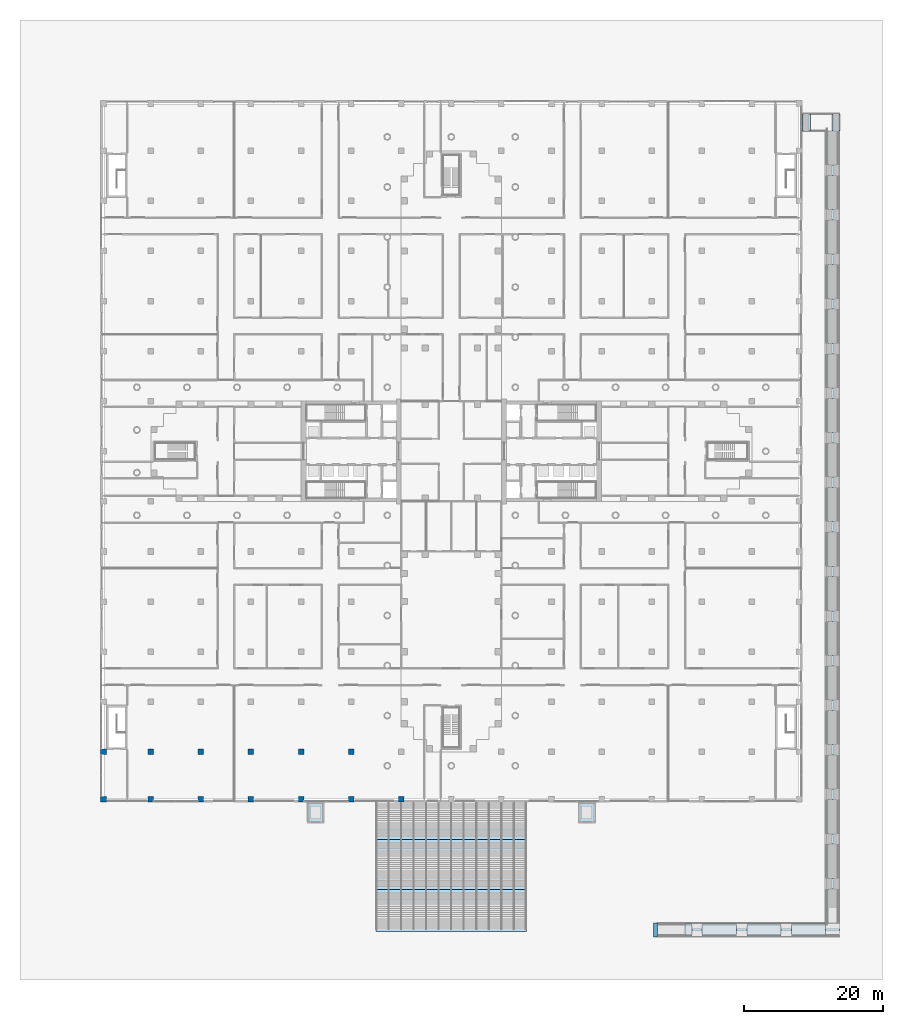
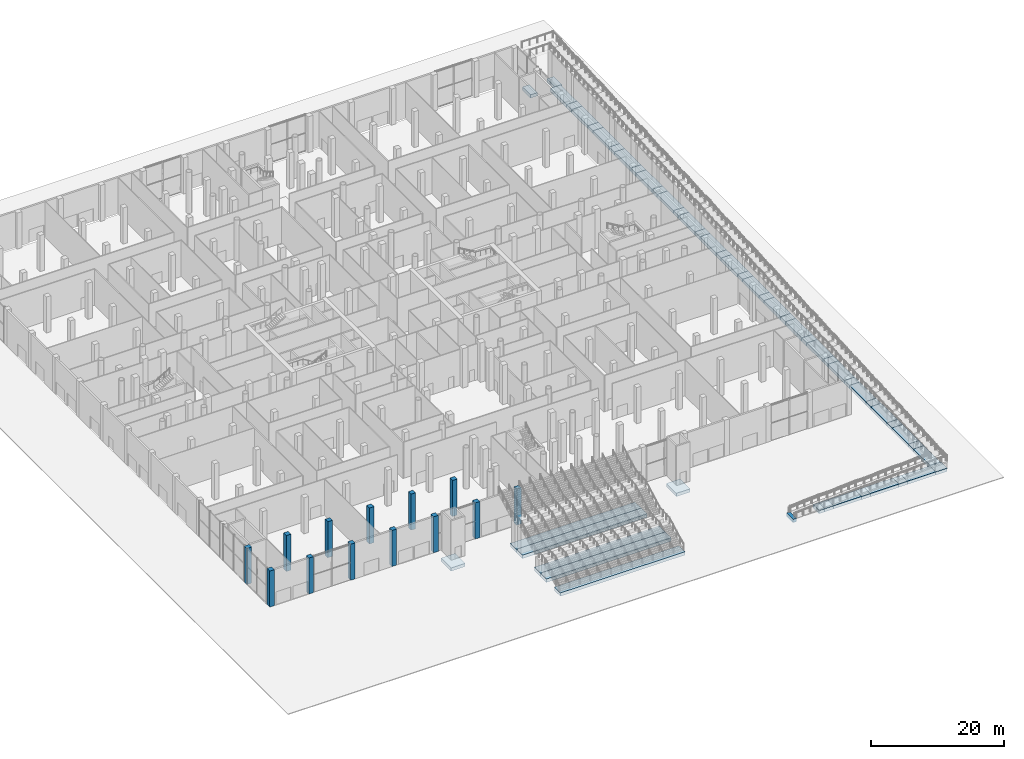
# One storey, part 1 of 44: 53 footings, 13 columns.
"""IFC4 building model written with IfcOpenShell, lengths in metres."""

from ifc_helpers import new_model, si_unit, direction, frame, origin, origin_2d, place, context, subcontext, project, spatial, polyline, rectangle, outline, extrude, material, layer, layer_set, material_profile, profile_set, type_object, element, save


model = new_model("IFC4")

# Units and contexts
model_context = context("Model", 3, precision=1e-05, world=origin(), true_north=direction((0.0, 1.0)))
body_context = subcontext(model_context, "Body", "Model", "MODEL_VIEW")
ifc_project = project(units=[si_unit("LENGTHUNIT", "METRE"), si_unit("AREAUNIT", "SQUARE_METRE"), si_unit("VOLUMEUNIT", "CUBIC_METRE"), si_unit("PLANEANGLEUNIT", "RADIAN"), si_unit("MASSUNIT", "GRAM", prefix="KILO")], contexts=[model_context])

# Site, building, storey
site_placement = place(None, origin())
site = spatial("IfcSite", under=ifc_project, at=site_placement, CompositionType="ELEMENT")
building_placement = place(site_placement, origin())
building = spatial("IfcBuilding", under=site, at=building_placement, Name="Fustian Cross Tower", CompositionType="ELEMENT")
storey_placement = place(building_placement, origin())
storey = spatial("IfcBuildingStorey", under=building, at=storey_placement, Name="L00", CompositionType="ELEMENT", Elevation=0.0)

# Footings
ifc_material_1 = material(Name="Concrete C40/50", Category="concrete")
ifc_layer_1 = layer(ifc_material_1, 0.60009765625)
ifc_layer_set_1 = layer_set([ifc_layer_1], Name="Concrete C40/50")
footing_type_1 = type_object("IfcFootingType", Name="PAD FOOTING LIFT PIT", PredefinedType="PAD_FOOTING", material=ifc_layer_set_1)
footing_1_placement = place(storey_placement, frame((0.0, 0.0, -2.0)))
element("IfcFooting", 1, at=footing_1_placement, inside=storey, type_object=footing_type_1, Name="Lift pit footing PL1", PredefinedType="PAD_FOOTING", context=body_context, shape_type="SweptSolid", body=[
    extrude(outline(polyline([(-20.699951171875, -53.39990234375), (-18.300048828125, -53.39990234375), (-18.300048828125, -50.39990234375), (-20.699951171875, -50.39990234375), (-20.699951171875, -53.39990234375)])), origin(), (0.0, 0.0, 1.0), 0.60009765625),
])
footing_2_placement = place(storey_placement, frame((0.0, 0.0, -2.0)))
element("IfcFooting", 2, at=footing_2_placement, inside=storey, type_object=footing_type_1, Name="Lift pit footing PL2", PredefinedType="PAD_FOOTING", context=body_context, shape_type="SweptSolid", body=[
    extrude(outline(polyline([(18.300048828125, -53.39990234375), (20.699951171875, -53.39990234375), (20.699951171875, -50.39990234375), (18.300048828125, -50.39990234375), (18.300048828125, -53.39990234375)])), origin(), (0.0, 0.0, 1.0), 0.60009765625),
])
ifc_material_2 = material(Name="Concrete C40/50", Category="concrete")
ifc_layer_2 = layer(ifc_material_2, 0.60009765625)
ifc_layer_set_2 = layer_set([ifc_layer_2], Name="Concrete C40/50")
footing_type_2 = type_object("IfcFootingType", Name="STRIP FOOTING 1800", PredefinedType="STRIP_FOOTING", material=ifc_layer_set_2)
footing_3_placement = place(storey_placement, frame((0.0, 0.0, -0.60009765625)))
element("IfcFooting", 3, at=footing_3_placement, inside=storey, type_object=footing_type_2, Name="Stair strip footing 1A", PredefinedType="STRIP_FOOTING", context=body_context, shape_type="SweptSolid", body=[
    extrude(outline(polyline([(-10.800048828125, -64.800048828125), (10.800048828125, -64.800048828125), (10.800048828125, -63.0), (-10.800048828125, -63.0), (-10.800048828125, -64.800048828125)])), origin(), (0.0, 0.0, 1.0), 0.60009765625),
])
footing_4_placement = place(storey_placement, frame((0.0, 0.0, -0.60009765625)))
element("IfcFooting", 4, at=footing_4_placement, inside=storey, type_object=footing_type_2, Name="Stair strip footing 1B", PredefinedType="STRIP_FOOTING", context=body_context, shape_type="SweptSolid", body=[
    extrude(outline(polyline([(-10.800048828125, -63.0), (10.800048828125, -63.0), (10.800048828125, -61.199951171875), (-10.800048828125, -61.199951171875), (-10.800048828125, -63.0)])), origin(), (0.0, 0.0, 1.0), 0.60009765625),
])
footing_5_placement = place(storey_placement, frame((0.0, 0.0, -0.60009765625)))
element("IfcFooting", 5, at=footing_5_placement, inside=storey, type_object=footing_type_2, Name="Stair strip footing 2A", PredefinedType="STRIP_FOOTING", context=body_context, shape_type="SweptSolid", body=[
    extrude(outline(polyline([(-10.800048828125, -57.60009765625), (10.800048828125, -57.60009765625), (10.800048828125, -55.800048828125), (-10.800048828125, -55.800048828125), (-10.800048828125, -57.60009765625)])), origin(), (0.0, 0.0, 1.0), 0.60009765625),
])
footing_6_placement = place(storey_placement, frame((0.0, 0.0, -0.60009765625)))
element("IfcFooting", 6, at=footing_6_placement, inside=storey, type_object=footing_type_2, Name="Stair strip footing 2B", PredefinedType="STRIP_FOOTING", context=body_context, shape_type="SweptSolid", body=[
    extrude(outline(polyline([(-10.800048828125, -55.800048828125), (10.800048828125, -55.800048828125), (10.800048828125, -54.0), (-10.800048828125, -54.0), (-10.800048828125, -55.800048828125)])), origin(), (0.0, 0.0, 1.0), 0.60009765625),
])
footing_7_placement = place(storey_placement, frame((0.0, 0.0, -0.60009765625)))
element("IfcFooting", 7, at=footing_7_placement, inside=storey, type_object=footing_type_2, Name="Stair foot strip footing", PredefinedType="STRIP_FOOTING", context=body_context, shape_type="SweptSolid", body=[
    extrude(outline(polyline([(-10.800048828125, -69.0), (10.800048828125, -69.0), (10.800048828125, -67.199951171875), (-10.800048828125, -67.199951171875), (-10.800048828125, -69.0)])), origin(), (0.0, 0.0, 1.0), 0.60009765625),
])
footing_8_placement = place(storey_placement, frame((0.0, 0.0, -0.60009765625)))
element("IfcFooting", 8, at=footing_8_placement, inside=storey, type_object=footing_type_2, Name="Ramp strip footing 1", PredefinedType="STRIP_FOOTING", context=body_context, shape_type="SweptSolid", body=[
    extrude(outline(polyline([(33.6220703125, -69.699951171875), (34.57275390625, -69.699951171875), (34.57275390625, -67.89990234375), (33.6220703125, -67.89990234375), (33.6220703125, -69.699951171875)])), origin(), (0.0, 0.0, 1.0), 0.60009765625),
])
footing_9_placement = place(storey_placement, frame((0.0, 0.0, -0.60009765625)))
element("IfcFooting", 9, at=footing_9_placement, inside=storey, type_object=footing_type_2, Name="Ramp strip footing 2", PredefinedType="STRIP_FOOTING", context=body_context, shape_type="SweptSolid", body=[
    extrude(outline(polyline([(36.07275390625, -69.699951171875), (40.98193359375, -69.699951171875), (40.98193359375, -67.89990234375), (36.07275390625, -67.89990234375), (36.07275390625, -69.699951171875)])), origin(), (0.0, 0.0, 1.0), 0.60009765625),
])
footing_10_placement = place(storey_placement, frame((0.0, 0.0, -0.60009765625)))
element("IfcFooting", 10, at=footing_10_placement, inside=storey, type_object=footing_type_2, Name="Ramp strip footing 3", PredefinedType="STRIP_FOOTING", context=body_context, shape_type="SweptSolid", body=[
    extrude(outline(polyline([(42.48193359375, -69.699951171875), (47.390869140625, -69.699951171875), (47.390869140625, -67.89990234375), (42.48193359375, -67.89990234375), (42.48193359375, -69.699951171875)])), origin(), (0.0, 0.0, 1.0), 0.60009765625),
])
footing_11_placement = place(storey_placement, frame((0.0, 0.0, -0.60009765625)))
element("IfcFooting", 11, at=footing_11_placement, inside=storey, type_object=footing_type_2, Name="Ramp strip footing 4", PredefinedType="STRIP_FOOTING", context=body_context, shape_type="SweptSolid", body=[
    extrude(outline(polyline([(48.890869140625, -69.699951171875), (53.800048828125, -69.699951171875), (53.800048828125, -67.89990234375), (48.890869140625, -67.89990234375), (48.890869140625, -69.699951171875)])), origin(), (0.0, 0.0, 1.0), 0.60009765625),
])
footing_12_placement = place(storey_placement, frame((0.0, 0.0, -0.60009765625)))
element("IfcFooting", 12, at=footing_12_placement, inside=storey, type_object=footing_type_2, Name="Ramp strip footing 5", PredefinedType="STRIP_FOOTING", context=body_context, shape_type="SweptSolid", body=[
    extrude(outline(polyline([(53.89990234375, -67.800048828125), (55.699951171875, -67.800048828125), (55.699951171875, -62.890869140625), (53.89990234375, -62.890869140625), (53.89990234375, -67.800048828125)])), origin(), (0.0, 0.0, 1.0), 0.60009765625),
])
footing_13_placement = place(storey_placement, frame((0.0, 0.0, -0.60009765625)))
element("IfcFooting", 13, at=footing_13_placement, inside=storey, type_object=footing_type_2, Name="Ramp strip footing 6", PredefinedType="STRIP_FOOTING", context=body_context, shape_type="SweptSolid", body=[
    extrude(outline(polyline([(53.89990234375, -61.390869140625), (55.699951171875, -61.390869140625), (55.699951171875, -56.48193359375), (53.89990234375, -56.48193359375), (53.89990234375, -61.390869140625)])), origin(), (0.0, 0.0, 1.0), 0.60009765625),
])
footing_14_placement = place(storey_placement, frame((0.0, 0.0, -0.60009765625)))
element("IfcFooting", 14, at=footing_14_placement, inside=storey, type_object=footing_type_2, Name="Ramp strip footing 7", PredefinedType="STRIP_FOOTING", context=body_context, shape_type="SweptSolid", body=[
    extrude(outline(polyline([(53.89990234375, -54.98193359375), (55.699951171875, -54.98193359375), (55.699951171875, -50.07275390625), (53.89990234375, -50.07275390625), (53.89990234375, -54.98193359375)])), origin(), (0.0, 0.0, 1.0), 0.60009765625),
])
footing_15_placement = place(storey_placement, frame((0.0, 0.0, -0.60009765625)))
element("IfcFooting", 15, at=footing_15_placement, inside=storey, type_object=footing_type_2, Name="Ramp strip footing 8", PredefinedType="STRIP_FOOTING", context=body_context, shape_type="SweptSolid", body=[
    extrude(outline(polyline([(53.89990234375, -48.57275390625), (55.699951171875, -48.57275390625), (55.699951171875, -43.66357421875), (53.89990234375, -43.66357421875), (53.89990234375, -48.57275390625)])), origin(), (0.0, 0.0, 1.0), 0.60009765625),
])
footing_16_placement = place(storey_placement, frame((0.0, 0.0, -0.60009765625)))
element("IfcFooting", 16, at=footing_16_placement, inside=storey, type_object=footing_type_2, Name="Ramp strip footing 9", PredefinedType="STRIP_FOOTING", context=body_context, shape_type="SweptSolid", body=[
    extrude(outline(polyline([(53.89990234375, -42.16357421875), (55.699951171875, -42.16357421875), (55.699951171875, -37.254638671875), (53.89990234375, -37.254638671875), (53.89990234375, -42.16357421875)])), origin(), (0.0, 0.0, 1.0), 0.60009765625),
])
footing_17_placement = place(storey_placement, frame((0.0, 0.0, -0.60009765625)))
element("IfcFooting", 17, at=footing_17_placement, inside=storey, type_object=footing_type_2, Name="Ramp strip footing 10", PredefinedType="STRIP_FOOTING", context=body_context, shape_type="SweptSolid", body=[
    extrude(outline(polyline([(53.89990234375, -35.754638671875), (55.699951171875, -35.754638671875), (55.699951171875, -30.845458984375), (53.89990234375, -30.845458984375), (53.89990234375, -35.754638671875)])), origin(), (0.0, 0.0, 1.0), 0.60009765625),
])
footing_18_placement = place(storey_placement, frame((0.0, 0.0, -0.60009765625)))
element("IfcFooting", 18, at=footing_18_placement, inside=storey, type_object=footing_type_2, Name="Ramp strip footing 11", PredefinedType="STRIP_FOOTING", context=body_context, shape_type="SweptSolid", body=[
    extrude(outline(polyline([(53.89990234375, -29.345458984375), (55.699951171875, -29.345458984375), (55.699951171875, -24.436279296875), (53.89990234375, -24.436279296875), (53.89990234375, -29.345458984375)])), origin(), (0.0, 0.0, 1.0), 0.60009765625),
])
footing_19_placement = place(storey_placement, frame((0.0, 0.0, -0.60009765625)))
element("IfcFooting", 19, at=footing_19_placement, inside=storey, type_object=footing_type_2, Name="Ramp strip footing 12", PredefinedType="STRIP_FOOTING", context=body_context, shape_type="SweptSolid", body=[
    extrude(outline(polyline([(53.89990234375, -22.936279296875), (55.699951171875, -22.936279296875), (55.699951171875, -18.02734375), (53.89990234375, -18.02734375), (53.89990234375, -22.936279296875)])), origin(), (0.0, 0.0, 1.0), 0.60009765625),
])
footing_20_placement = place(storey_placement, frame((0.0, 0.0, -0.60009765625)))
element("IfcFooting", 20, at=footing_20_placement, inside=storey, type_object=footing_type_2, Name="Ramp strip footing 13", PredefinedType="STRIP_FOOTING", context=body_context, shape_type="SweptSolid", body=[
    extrude(outline(polyline([(53.89990234375, -16.52734375), (55.699951171875, -16.52734375), (55.699951171875, -11.6181640625), (53.89990234375, -11.6181640625), (53.89990234375, -16.52734375)])), origin(), (0.0, 0.0, 1.0), 0.60009765625),
])
footing_21_placement = place(storey_placement, frame((0.0, 0.0, -0.60009765625)))
element("IfcFooting", 21, at=footing_21_placement, inside=storey, type_object=footing_type_2, Name="Ramp strip footing 14", PredefinedType="STRIP_FOOTING", context=body_context, shape_type="SweptSolid", body=[
    extrude(outline(polyline([(53.89990234375, -10.1181640625), (55.699951171875, -10.1181640625), (55.699951171875, -5.208984375), (53.89990234375, -5.208984375), (53.89990234375, -10.1181640625)])), origin(), (0.0, 0.0, 1.0), 0.60009765625),
])
footing_22_placement = place(storey_placement, frame((0.0, 0.0, -0.60009765625)))
element("IfcFooting", 22, at=footing_22_placement, inside=storey, type_object=footing_type_2, Name="Ramp strip footing 15", PredefinedType="STRIP_FOOTING", context=body_context, shape_type="SweptSolid", body=[
    extrude(outline(polyline([(53.89990234375, -3.708984375), (55.699951171875, -3.708984375), (55.699951171875, 1.199951171875), (53.89990234375, 1.199951171875), (53.89990234375, -3.708984375)])), origin(), (0.0, 0.0, 1.0), 0.60009765625),
])
footing_23_placement = place(storey_placement, frame((0.0, 0.0, -0.60009765625)))
element("IfcFooting", 23, at=footing_23_placement, inside=storey, type_object=footing_type_2, Name="Ramp strip footing 16", PredefinedType="STRIP_FOOTING", context=body_context, shape_type="SweptSolid", body=[
    extrude(outline(polyline([(53.89990234375, 2.699951171875), (55.699951171875, 2.699951171875), (55.699951171875, 7.609130859375), (53.89990234375, 7.609130859375), (53.89990234375, 2.699951171875)])), origin(), (0.0, 0.0, 1.0), 0.60009765625),
])
footing_24_placement = place(storey_placement, frame((0.0, 0.0, -0.60009765625)))
element("IfcFooting", 24, at=footing_24_placement, inside=storey, type_object=footing_type_2, Name="Ramp strip footing 17", PredefinedType="STRIP_FOOTING", context=body_context, shape_type="SweptSolid", body=[
    extrude(outline(polyline([(53.89990234375, 9.109130859375), (55.699951171875, 9.109130859375), (55.699951171875, 14.01806640625), (53.89990234375, 14.01806640625), (53.89990234375, 9.109130859375)])), origin(), (0.0, 0.0, 1.0), 0.60009765625),
])
footing_25_placement = place(storey_placement, frame((0.0, 0.0, -0.60009765625)))
element("IfcFooting", 25, at=footing_25_placement, inside=storey, type_object=footing_type_2, Name="Ramp strip footing 18", PredefinedType="STRIP_FOOTING", context=body_context, shape_type="SweptSolid", body=[
    extrude(outline(polyline([(53.89990234375, 15.51806640625), (55.699951171875, 15.51806640625), (55.699951171875, 20.42724609375), (53.89990234375, 20.42724609375), (53.89990234375, 15.51806640625)])), origin(), (0.0, 0.0, 1.0), 0.60009765625),
])
footing_26_placement = place(storey_placement, frame((0.0, 0.0, -0.60009765625)))
element("IfcFooting", 26, at=footing_26_placement, inside=storey, type_object=footing_type_2, Name="Ramp strip footing 19", PredefinedType="STRIP_FOOTING", context=body_context, shape_type="SweptSolid", body=[
    extrude(outline(polyline([(53.89990234375, 21.92724609375), (55.699951171875, 21.92724609375), (55.699951171875, 26.83642578125), (53.89990234375, 26.83642578125), (53.89990234375, 21.92724609375)])), origin(), (0.0, 0.0, 1.0), 0.60009765625),
])
footing_27_placement = place(storey_placement, frame((0.0, 0.0, -0.60009765625)))
element("IfcFooting", 27, at=footing_27_placement, inside=storey, type_object=footing_type_2, Name="Ramp strip footing 20", PredefinedType="STRIP_FOOTING", context=body_context, shape_type="SweptSolid", body=[
    extrude(outline(polyline([(53.89990234375, 28.33642578125), (55.699951171875, 28.33642578125), (55.699951171875, 33.245361328125), (53.89990234375, 33.245361328125), (53.89990234375, 28.33642578125)])), origin(), (0.0, 0.0, 1.0), 0.60009765625),
])
footing_28_placement = place(storey_placement, frame((0.0, 0.0, -0.60009765625)))
element("IfcFooting", 28, at=footing_28_placement, inside=storey, type_object=footing_type_2, Name="Ramp strip footing 21", PredefinedType="STRIP_FOOTING", context=body_context, shape_type="SweptSolid", body=[
    extrude(outline(polyline([(53.89990234375, 34.745361328125), (55.699951171875, 34.745361328125), (55.699951171875, 39.654541015625), (53.89990234375, 39.654541015625), (53.89990234375, 34.745361328125)])), origin(), (0.0, 0.0, 1.0), 0.60009765625),
])
footing_29_placement = place(storey_placement, frame((0.0, 0.0, -0.60009765625)))
element("IfcFooting", 29, at=footing_29_placement, inside=storey, type_object=footing_type_2, Name="Ramp strip footing 22", PredefinedType="STRIP_FOOTING", context=body_context, shape_type="SweptSolid", body=[
    extrude(outline(polyline([(53.89990234375, 41.154541015625), (55.699951171875, 41.154541015625), (55.699951171875, 46.063720703125), (53.89990234375, 46.063720703125), (53.89990234375, 41.154541015625)])), origin(), (0.0, 0.0, 1.0), 0.60009765625),
])
footing_30_placement = place(storey_placement, frame((0.0, 0.0, -0.60009765625)))
element("IfcFooting", 30, at=footing_30_placement, inside=storey, type_object=footing_type_2, Name="Ramp foot footing", PredefinedType="STRIP_FOOTING", context=body_context, shape_type="SweptSolid", body=[
    extrude(outline(polyline([(29.063720703125, -69.800048828125), (29.66357421875, -69.800048828125), (29.66357421875, -67.800048828125), (29.063720703125, -67.800048828125), (29.063720703125, -69.800048828125)])), origin(), (0.0, 0.0, 1.0), 0.60009765625),
])
footing_31_placement = place(storey_placement, frame((0.0, 0.0, -0.60009765625)))
element("IfcFooting", 31, at=footing_31_placement, inside=storey, type_object=footing_type_2, Name="Ramp landing footing 1", PredefinedType="STRIP_FOOTING", context=body_context, shape_type="SweptSolid", body=[
    extrude(outline(polyline([(34.57275390625, -69.699951171875), (36.07275390625, -69.699951171875), (36.07275390625, -67.89990234375), (34.57275390625, -67.89990234375), (34.57275390625, -69.699951171875)])), origin(), (0.0, 0.0, 1.0), 0.60009765625),
])
footing_32_placement = place(storey_placement, frame((0.0, 0.0, -0.60009765625)))
element("IfcFooting", 32, at=footing_32_placement, inside=storey, type_object=footing_type_2, Name="Ramp landing footing 2", PredefinedType="STRIP_FOOTING", context=body_context, shape_type="SweptSolid", body=[
    extrude(outline(polyline([(40.98193359375, -69.699951171875), (42.48193359375, -69.699951171875), (42.48193359375, -67.89990234375), (40.98193359375, -67.89990234375), (40.98193359375, -69.699951171875)])), origin(), (0.0, 0.0, 1.0), 0.60009765625),
])
footing_33_placement = place(storey_placement, frame((0.0, 0.0, -0.60009765625)))
element("IfcFooting", 33, at=footing_33_placement, inside=storey, type_object=footing_type_2, Name="Ramp landing footing 3", PredefinedType="STRIP_FOOTING", context=body_context, shape_type="SweptSolid", body=[
    extrude(outline(polyline([(47.390869140625, -69.699951171875), (48.890869140625, -69.699951171875), (48.890869140625, -67.89990234375), (47.390869140625, -67.89990234375), (47.390869140625, -69.699951171875)])), origin(), (0.0, 0.0, 1.0), 0.60009765625),
])
footing_34_placement = place(storey_placement, frame((0.0, 0.0, -0.60009765625)))
element("IfcFooting", 34, at=footing_34_placement, inside=storey, type_object=footing_type_2, Name="Ramp landing footing 4", PredefinedType="STRIP_FOOTING", context=body_context, shape_type="SweptSolid", body=[
    extrude(outline(polyline([(53.800048828125, -69.699951171875), (55.800048828125, -69.699951171875), (55.800048828125, -67.89990234375), (53.800048828125, -67.89990234375), (53.800048828125, -69.699951171875)])), origin(), (0.0, 0.0, 1.0), 0.60009765625),
])
footing_35_placement = place(storey_placement, frame((0.0, 0.0, -0.60009765625)))
element("IfcFooting", 35, at=footing_35_placement, inside=storey, type_object=footing_type_2, Name="Ramp landing footing 5", PredefinedType="STRIP_FOOTING", context=body_context, shape_type="SweptSolid", body=[
    extrude(outline(polyline([(53.89990234375, -62.890869140625), (55.699951171875, -62.890869140625), (55.699951171875, -61.390869140625), (53.89990234375, -61.390869140625), (53.89990234375, -62.890869140625)])), origin(), (0.0, 0.0, 1.0), 0.60009765625),
])
footing_36_placement = place(storey_placement, frame((0.0, 0.0, -0.60009765625)))
element("IfcFooting", 36, at=footing_36_placement, inside=storey, type_object=footing_type_2, Name="Ramp landing footing 6", PredefinedType="STRIP_FOOTING", context=body_context, shape_type="SweptSolid", body=[
    extrude(outline(polyline([(53.89990234375, -56.48193359375), (55.699951171875, -56.48193359375), (55.699951171875, -54.98193359375), (53.89990234375, -54.98193359375), (53.89990234375, -56.48193359375)])), origin(), (0.0, 0.0, 1.0), 0.60009765625),
])
footing_37_placement = place(storey_placement, frame((0.0, 0.0, -0.60009765625)))
element("IfcFooting", 37, at=footing_37_placement, inside=storey, type_object=footing_type_2, Name="Ramp landing footing 7", PredefinedType="STRIP_FOOTING", context=body_context, shape_type="SweptSolid", body=[
    extrude(outline(polyline([(53.89990234375, -50.07275390625), (55.699951171875, -50.07275390625), (55.699951171875, -48.57275390625), (53.89990234375, -48.57275390625), (53.89990234375, -50.07275390625)])), origin(), (0.0, 0.0, 1.0), 0.60009765625),
])
footing_38_placement = place(storey_placement, frame((0.0, 0.0, -0.60009765625)))
element("IfcFooting", 38, at=footing_38_placement, inside=storey, type_object=footing_type_2, Name="Ramp landing footing 8", PredefinedType="STRIP_FOOTING", context=body_context, shape_type="SweptSolid", body=[
    extrude(outline(polyline([(53.89990234375, -43.66357421875), (55.699951171875, -43.66357421875), (55.699951171875, -42.16357421875), (53.89990234375, -42.16357421875), (53.89990234375, -43.66357421875)])), origin(), (0.0, 0.0, 1.0), 0.60009765625),
])
footing_39_placement = place(storey_placement, frame((0.0, 0.0, -0.60009765625)))
element("IfcFooting", 39, at=footing_39_placement, inside=storey, type_object=footing_type_2, Name="Ramp landing footing 9", PredefinedType="STRIP_FOOTING", context=body_context, shape_type="SweptSolid", body=[
    extrude(outline(polyline([(53.89990234375, -37.254638671875), (55.699951171875, -37.254638671875), (55.699951171875, -35.754638671875), (53.89990234375, -35.754638671875), (53.89990234375, -37.254638671875)])), origin(), (0.0, 0.0, 1.0), 0.60009765625),
])
footing_40_placement = place(storey_placement, frame((0.0, 0.0, -0.60009765625)))
element("IfcFooting", 40, at=footing_40_placement, inside=storey, type_object=footing_type_2, Name="Ramp landing footing 10", PredefinedType="STRIP_FOOTING", context=body_context, shape_type="SweptSolid", body=[
    extrude(outline(polyline([(53.89990234375, -30.845458984375), (55.699951171875, -30.845458984375), (55.699951171875, -29.345458984375), (53.89990234375, -29.345458984375), (53.89990234375, -30.845458984375)])), origin(), (0.0, 0.0, 1.0), 0.60009765625),
])
footing_41_placement = place(storey_placement, frame((0.0, 0.0, -0.60009765625)))
element("IfcFooting", 41, at=footing_41_placement, inside=storey, type_object=footing_type_2, Name="Ramp landing footing 11", PredefinedType="STRIP_FOOTING", context=body_context, shape_type="SweptSolid", body=[
    extrude(outline(polyline([(53.89990234375, -24.436279296875), (55.699951171875, -24.436279296875), (55.699951171875, -22.936279296875), (53.89990234375, -22.936279296875), (53.89990234375, -24.436279296875)])), origin(), (0.0, 0.0, 1.0), 0.60009765625),
])
footing_42_placement = place(storey_placement, frame((0.0, 0.0, -0.60009765625)))
element("IfcFooting", 42, at=footing_42_placement, inside=storey, type_object=footing_type_2, Name="Ramp landing footing 12", PredefinedType="STRIP_FOOTING", context=body_context, shape_type="SweptSolid", body=[
    extrude(outline(polyline([(53.89990234375, -18.02734375), (55.699951171875, -18.02734375), (55.699951171875, -16.52734375), (53.89990234375, -16.52734375), (53.89990234375, -18.02734375)])), origin(), (0.0, 0.0, 1.0), 0.60009765625),
])
footing_43_placement = place(storey_placement, frame((0.0, 0.0, -0.60009765625)))
element("IfcFooting", 43, at=footing_43_placement, inside=storey, type_object=footing_type_2, Name="Ramp landing footing 13", PredefinedType="STRIP_FOOTING", context=body_context, shape_type="SweptSolid", body=[
    extrude(outline(polyline([(53.89990234375, -11.6181640625), (55.699951171875, -11.6181640625), (55.699951171875, -10.1181640625), (53.89990234375, -10.1181640625), (53.89990234375, -11.6181640625)])), origin(), (0.0, 0.0, 1.0), 0.60009765625),
])
footing_44_placement = place(storey_placement, frame((0.0, 0.0, -0.60009765625)))
element("IfcFooting", 44, at=footing_44_placement, inside=storey, type_object=footing_type_2, Name="Ramp landing footing 14", PredefinedType="STRIP_FOOTING", context=body_context, shape_type="SweptSolid", body=[
    extrude(outline(polyline([(53.89990234375, -5.208984375), (55.699951171875, -5.208984375), (55.699951171875, -3.708984375), (53.89990234375, -3.708984375), (53.89990234375, -5.208984375)])), origin(), (0.0, 0.0, 1.0), 0.60009765625),
])
footing_45_placement = place(storey_placement, frame((0.0, 0.0, -0.60009765625)))
element("IfcFooting", 45, at=footing_45_placement, inside=storey, type_object=footing_type_2, Name="Ramp landing footing 15", PredefinedType="STRIP_FOOTING", context=body_context, shape_type="SweptSolid", body=[
    extrude(outline(polyline([(53.89990234375, 1.199951171875), (55.699951171875, 1.199951171875), (55.699951171875, 2.699951171875), (53.89990234375, 2.699951171875), (53.89990234375, 1.199951171875)])), origin(), (0.0, 0.0, 1.0), 0.60009765625),
])
footing_46_placement = place(storey_placement, frame((0.0, 0.0, -0.60009765625)))
element("IfcFooting", 46, at=footing_46_placement, inside=storey, type_object=footing_type_2, Name="Ramp landing footing 16", PredefinedType="STRIP_FOOTING", context=body_context, shape_type="SweptSolid", body=[
    extrude(outline(polyline([(53.89990234375, 7.609130859375), (55.699951171875, 7.609130859375), (55.699951171875, 9.109130859375), (53.89990234375, 9.109130859375), (53.89990234375, 7.609130859375)])), origin(), (0.0, 0.0, 1.0), 0.60009765625),
])
footing_47_placement = place(storey_placement, frame((0.0, 0.0, -0.60009765625)))
element("IfcFooting", 47, at=footing_47_placement, inside=storey, type_object=footing_type_2, Name="Ramp landing footing 17", PredefinedType="STRIP_FOOTING", context=body_context, shape_type="SweptSolid", body=[
    extrude(outline(polyline([(53.89990234375, 14.01806640625), (55.699951171875, 14.01806640625), (55.699951171875, 15.51806640625), (53.89990234375, 15.51806640625), (53.89990234375, 14.01806640625)])), origin(), (0.0, 0.0, 1.0), 0.60009765625),
])
footing_48_placement = place(storey_placement, frame((0.0, 0.0, -0.60009765625)))
element("IfcFooting", 48, at=footing_48_placement, inside=storey, type_object=footing_type_2, Name="Ramp landing footing 18", PredefinedType="STRIP_FOOTING", context=body_context, shape_type="SweptSolid", body=[
    extrude(outline(polyline([(53.89990234375, 20.42724609375), (55.699951171875, 20.42724609375), (55.699951171875, 21.92724609375), (53.89990234375, 21.92724609375), (53.89990234375, 20.42724609375)])), origin(), (0.0, 0.0, 1.0), 0.60009765625),
])
footing_49_placement = place(storey_placement, frame((0.0, 0.0, -0.60009765625)))
element("IfcFooting", 49, at=footing_49_placement, inside=storey, type_object=footing_type_2, Name="Ramp landing footing 19", PredefinedType="STRIP_FOOTING", context=body_context, shape_type="SweptSolid", body=[
    extrude(outline(polyline([(53.89990234375, 26.83642578125), (55.699951171875, 26.83642578125), (55.699951171875, 28.33642578125), (53.89990234375, 28.33642578125), (53.89990234375, 26.83642578125)])), origin(), (0.0, 0.0, 1.0), 0.60009765625),
])
footing_50_placement = place(storey_placement, frame((0.0, 0.0, -0.60009765625)))
element("IfcFooting", 50, at=footing_50_placement, inside=storey, type_object=footing_type_2, Name="Ramp landing footing 20", PredefinedType="STRIP_FOOTING", context=body_context, shape_type="SweptSolid", body=[
    extrude(outline(polyline([(53.89990234375, 33.245361328125), (55.699951171875, 33.245361328125), (55.699951171875, 34.745361328125), (53.89990234375, 34.745361328125), (53.89990234375, 33.245361328125)])), origin(), (0.0, 0.0, 1.0), 0.60009765625),
])
footing_51_placement = place(storey_placement, frame((0.0, 0.0, -0.60009765625)))
element("IfcFooting", 51, at=footing_51_placement, inside=storey, type_object=footing_type_2, Name="Ramp landing footing 21", PredefinedType="STRIP_FOOTING", context=body_context, shape_type="SweptSolid", body=[
    extrude(outline(polyline([(53.89990234375, 39.654541015625), (55.699951171875, 39.654541015625), (55.699951171875, 41.154541015625), (53.89990234375, 41.154541015625), (53.89990234375, 39.654541015625)])), origin(), (0.0, 0.0, 1.0), 0.60009765625),
])
footing_52_placement = place(storey_placement, frame((0.0, 0.0, -0.60009765625)))
element("IfcFooting", 52, at=footing_52_placement, inside=storey, type_object=footing_type_2, Name="Ramp top landing footing W", PredefinedType="STRIP_FOOTING", context=body_context, shape_type="SweptSolid", body=[
    extrude(outline(polyline([(50.449951171875, 46.063720703125), (51.64990234375, 46.063720703125), (51.64990234375, 48.463623046875), (50.449951171875, 48.463623046875), (50.449951171875, 46.063720703125)])), origin(), (0.0, 0.0, 1.0), 0.60009765625),
])
footing_53_placement = place(storey_placement, frame((0.0, 0.0, -0.60009765625)))
element("IfcFooting", 53, at=footing_53_placement, inside=storey, type_object=footing_type_2, Name="Ramp top landing footing E", PredefinedType="STRIP_FOOTING", context=body_context, shape_type="SweptSolid", body=[
    extrude(outline(polyline([(54.699951171875, 46.063720703125), (55.89990234375, 46.063720703125), (55.89990234375, 48.463623046875), (54.699951171875, 48.463623046875), (54.699951171875, 46.063720703125)])), origin(), (0.0, 0.0, 1.0), 0.60009765625),
])

# Columns
ifc_material_3 = material(Name="Concrete C50/60", Category="concrete")
ifc_material_profile = material_profile(ifc_material_3, rectangle(XDim=0.800048828125, YDim=0.800048828125, at=origin_2d()), Name="RC 800x800")
ifc_profile_set = profile_set([ifc_material_profile], Name="Concrete C50/60")
column_type = type_object("IfcColumnType", Name="COLUMN RC 800x800 C50/60", PredefinedType="COLUMN", material=ifc_profile_set)
for number, where, z_axis, x_axis, name in (
    (54, (-50.0, -50.0, 0.0), (0.0, 0.0, 1.0), (1.0, 0.0, 0.0), "COLUMN 065"),
    (55, (-50.0, -43.199951171875, 0.0), (0.0, 0.0, 1.0), (1.0, 0.0, 0.0), "COLUMN 066"),
    (56, (-43.199951171875, -50.0, 0.0), (0.0, 0.0, 1.0), (1.0, 0.0, 0.0), "COLUMN 080"),
    (57, (-43.199951171875, -43.199951171875, 0.0), (0.0, 0.0, 1.0), (1.0, 0.0, 0.0), "COLUMN 081"),
    (58, (-36.0, -50.0, 0.0), (0.0, 0.0, 1.0), (1.0, 0.0, 0.0), "COLUMN 094"),
    (59, (-36.0, -43.199951171875, 0.0), (0.0, 0.0, 1.0), (1.0, 0.0, 0.0), "COLUMN 095"),
    (60, (-28.800048828125, -50.0, 0.0), (0.0, 0.0, 1.0), (1.0, 0.0, 0.0), "COLUMN 106"),
    (61, (-28.800048828125, -43.199951171875, 0.0), (0.0, 0.0, 1.0), (1.0, 0.0, 0.0), "COLUMN 107"),
    (62, (-21.60009765625, -50.0, 0.0), (0.0, 0.0, 1.0), (1.0, 0.0, 0.0), "COLUMN 118"),
    (63, (-21.60009765625, -43.199951171875, 0.0), (0.0, 0.0, 1.0), (1.0, 0.0, 0.0), "COLUMN 119"),
    (64, (-14.39990234375, -50.0, 0.0), (0.0, 0.0, 1.0), (1.0, 0.0, 0.0), "COLUMN 130"),
    (65, (-14.39990234375, -43.199951171875, 0.0), (0.0, 0.0, 1.0), (1.0, 0.0, 0.0), "COLUMN 131"),
    (66, (-7.199951171875, -50.0, 0.0), (0.0, 0.0, 1.0), (1.0, 0.0, 0.0), "COLUMN 142"),
):
    element("IfcColumn", number, at=place(storey_placement, frame(where, z_axis=z_axis, x_axis=x_axis)), inside=storey, type_object=column_type, Name=name, PredefinedType="COLUMN", context=body_context, shape_type="SweptSolid", body=[
        extrude(rectangle(XDim=0.800048828125, YDim=0.800048828125, at=origin_2d()), origin(), (0.0, 0.0, 1.0), 6.60009765625),
    ])

save(model, "model.ifc")
